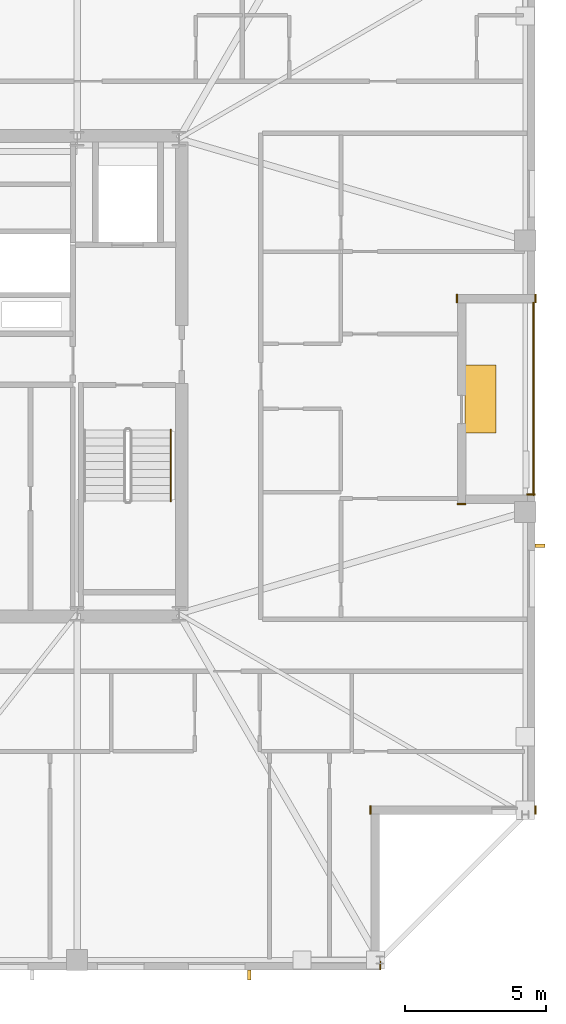
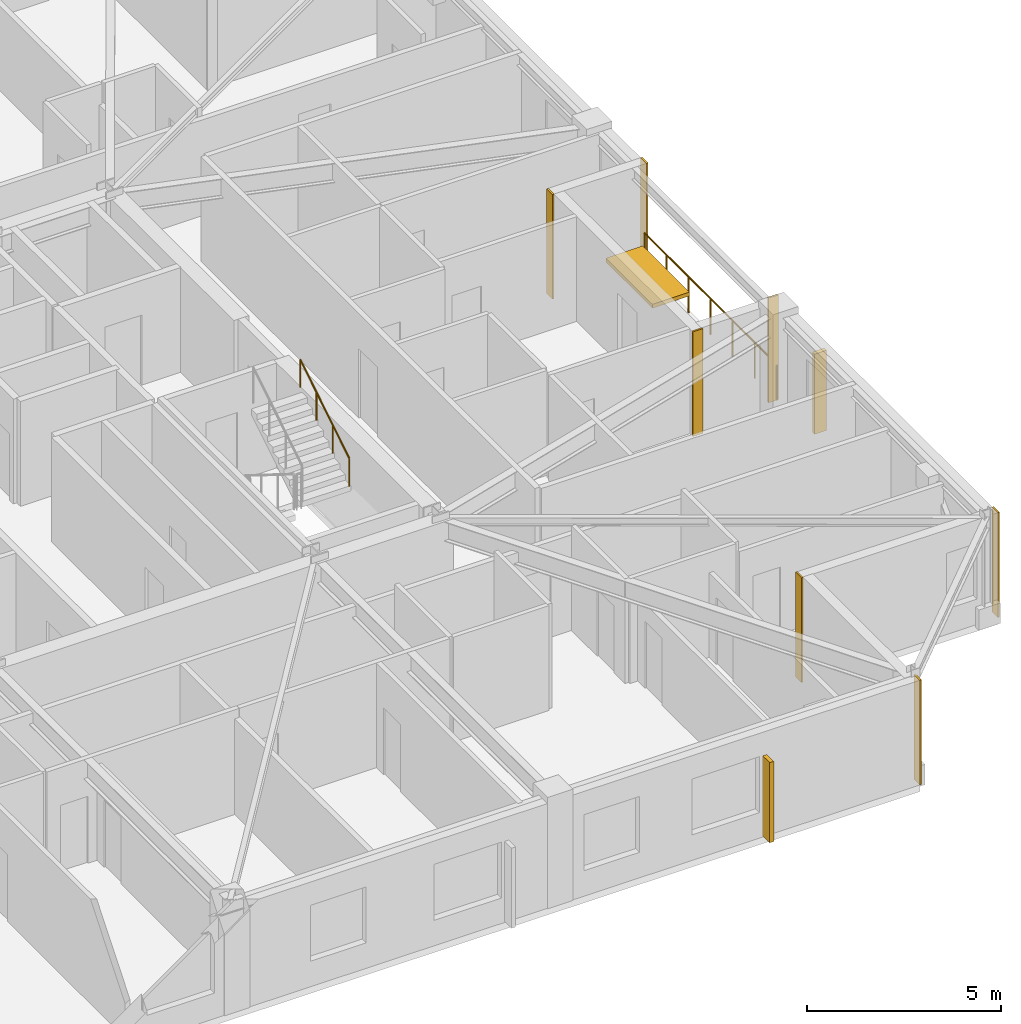
# One storey, part 13 of 14: 7 coverings, 3 shading devices, 2 railings.
"""IFC4 building model written with IfcOpenShell, lengths in metres."""

from ifc_helpers import new_model, si_unit, direction, frame, frame_2d, origin, origin_2d, place, context, subcontext, project, spatial, rectangle, circle, extrude, material, layer, layer_set, type_object, element, save


model = new_model("IFC4")

# Units and contexts
model_context = context("Model", 3, precision=1e-05, world=origin(), true_north=direction((0.0, 1.0)))
body_context = subcontext(model_context, "Body", "Model", "MODEL_VIEW")
ifc_project = project(units=[si_unit("LENGTHUNIT", "METRE"), si_unit("AREAUNIT", "SQUARE_METRE"), si_unit("VOLUMEUNIT", "CUBIC_METRE"), si_unit("PLANEANGLEUNIT", "RADIAN"), si_unit("MASSUNIT", "GRAM", prefix="KILO")], contexts=[model_context])

# Site, building, storey
site_placement = place(None, origin())
site = spatial("IfcSite", under=ifc_project, at=site_placement, CompositionType="ELEMENT")
building_placement = place(site_placement, origin())
building = spatial("IfcBuilding", under=site, at=building_placement, Name="Cairnveth Concourse Tower", CompositionType="ELEMENT")
storey_placement = place(building_placement, frame((0.0, 0.0, 301.5)))
storey = spatial("IfcBuildingStorey", under=building, at=storey_placement, Name="L83", CompositionType="ELEMENT", Elevation=301.5)

# Coverings
ifc_material_1 = material(Name="Dressed Melbourne Bluestone Cladding", Category="masonry")
ifc_layer = layer(ifc_material_1, 0.050048828125)
ifc_layer_set = layer_set([ifc_layer], Name="Dressed Melbourne Bluestone Cladding")
covering_type = type_object("IfcCoveringType", Name="DRESSED BLUESTONE PLINTH CLADDING 50", PredefinedType="CLADDING", material=ifc_layer_set)
for number, where, z_axis, x_axis, name in (
    (1, (72.699951171875, 34.820068359375, 0.0), (0.0, 0.0, 1.0), (1.0, 0.0, 0.0), "Melbourne Bluestone Corner Quoin L83-1259"),
    (2, (73.02001953125, 23.800048828125, 0.0), (0.0, 0.0, 1.0), (0.0, -1.0, 0.0), "Melbourne Bluestone Corner Quoin L83-1260"),
    (3, (67.179931640625, 23.800048828125, 0.0), (0.0, 0.0, 1.0), (0.0, -1.0, 0.0), "Melbourne Bluestone Corner Quoin L83-1261"),
    (4, (67.52001953125, 18.300048828125, 0.0), (0.0, 0.0, 1.0), (0.0, -1.0, 0.0), "Melbourne Bluestone Corner Quoin L83-1262"),
):
    element("IfcCovering", number, at=place(storey_placement, frame(where, z_axis=z_axis, x_axis=x_axis)), inside=storey, type_object=covering_type, Name=name, PredefinedType="CLADDING", context=body_context, shape_type="SweptSolid", body=[
        extrude(rectangle(XDim=0.300048828125, YDim=0.050048828125, at=frame_2d((0.14990234375, 0.0))), origin(), (0.0, 0.0, 1.0), 3.2900390625),
    ])
for number, where, z_axis, x_axis, name in (
    (5, (73.02001953125, 41.89990234375, 0.0), (0.0, 0.0, 1.0), (0.0, -1.0, 0.0), "Melbourne Bluestone Corner Quoin L83-1272"),
    (6, (70.22998046875, 41.89990234375, 0.0), (0.0, 0.0, 1.0), (0.0, -1.0, 0.0), "Melbourne Bluestone Corner Quoin L83-1273"),
):
    element("IfcCovering", number, at=place(storey_placement, frame(where, z_axis=z_axis, x_axis=x_axis)), inside=storey, type_object=covering_type, Name=name, PredefinedType="CLADDING", context=body_context, shape_type="SweptSolid", body=[
        extrude(rectangle(XDim=0.2998046875, YDim=0.050048828125, at=frame_2d((0.14990234375, 0.0))), origin(), (0.0, 0.0, 1.0), 3.2900390625),
    ])
covering_placement = place(storey_placement, frame((70.25, 34.47998046875, 0.0), z_axis=(0.0, 0.0, 1.0), x_axis=(1.0, 0.0, 0.0)))
element("IfcCovering", 7, at=covering_placement, inside=storey, type_object=covering_type, Name="Melbourne Bluestone Corner Quoin L83-1274", PredefinedType="CLADDING", context=body_context, shape_type="SweptSolid", body=[
    extrude(rectangle(XDim=0.300048828125, YDim=0.050048828125, at=frame_2d((0.14990234375, 0.0))), origin(), (0.0, 0.0, 1.0), 3.2900390625),
])

# Shading devices
ifc_material_2 = material(Name="Architectural Bronze Anodised Aluminium 6063-T6", Category="aluminium")
shading_device_type_1 = type_object("IfcShadingDeviceType", Name="GOTHIC BRONZE VERTICAL LANCET FIN", PredefinedType="USERDEFINED", material=ifc_material_2)
for number, where, z_axis, x_axis, name in (
    (8, (73.175048828125, 32.9990234375, 0.030029296875), (0.0, 0.0, 1.0), (0.0, 1.0, 0.0), "Gothic Bronze Vertical Fin L83-0-1"),
    (9, (62.8916015625, 17.824951171875, 0.030029296875), (0.0, 0.0, 1.0), (1.0, 0.0, 0.0), "Gothic Bronze Vertical Fin L83-3-1"),
):
    element("IfcShadingDevice", number, at=place(storey_placement, frame(where, z_axis=z_axis, x_axis=x_axis)), inside=storey, type_object=shading_device_type_1, Name=name, ObjectType="VERTICAL FIN", PredefinedType="USERDEFINED", context=body_context, shape_type="SweptSolid", body=[
        extrude(rectangle(XDim=0.1201171875, YDim=0.360107421875, at=origin_2d()), origin(), (0.0, 0.0, 1.0), 2.51806640625),
    ])
shading_device_type_2 = type_object("IfcShadingDeviceType", Name="SPIRAL TERRACE SUNSHADE CANOPY", PredefinedType="USERDEFINED", material=ifc_material_2)
shading_device_placement = place(storey_placement, frame((71.070068359375, 38.199951171875, 2.39794921875), z_axis=(0.0, 0.0, 1.0), x_axis=(1.0, 0.0, 0.0)))
element("IfcShadingDevice", 10, at=shading_device_placement, inside=storey, type_object=shading_device_type_2, Name="Spiral Terrace Sunshade L83", ObjectType="TERRACE SUNSHADE", PredefinedType="USERDEFINED", context=body_context, shape_type="SweptSolid", body=[
    extrude(rectangle(XDim=1.10009765625, YDim=2.39990234375, at=origin_2d()), origin(), (0.0, 0.0, 1.0), 0.1201171875),
])

# Railings
ifc_material_3 = material(Name="Steel Grade 350", Category="steel")
railing_type_1 = type_object("IfcRailingType", Name="STAIR WALL HANDRAIL 900", PredefinedType="HANDRAIL", material=ifc_material_3)
railing_1_placement = place(storey_placement, frame((60.110107421875, 34.580078125, 1.925048828125)))
element("IfcRailing", 11, at=railing_1_placement, inside=storey, type_object=railing_type_1, Name="L83 ST-2 stair handrail 2", PredefinedType="HANDRAIL", context=body_context, shape_type="SweptSolid", body=[
    extrude(circle(Radius=0.02392578125, at=origin_2d()), frame((0.0, 0.0, 0.8759765625), z_axis=(0.0, 0.848007534815, 0.529984170421), x_axis=(-1.0, 0.0, 0.0)), (0.0, 0.0, 1.0), 2.9716796875),
    extrude(circle(Radius=0.02099609375, at=origin_2d()), origin(), (0.0, 0.0, 1.0), 0.851806640625),
    extrude(circle(Radius=0.02099609375, at=origin_2d()), frame((0.0, 0.840087890625, 0.52490234375)), (0.0, 0.0, 1.0), 0.851806640625),
    extrude(circle(Radius=0.02099609375, at=origin_2d()), frame((0.0, 1.679931640625, 1.050048828125)), (0.0, 0.0, 1.0), 0.851806640625),
    extrude(circle(Radius=0.02099609375, at=origin_2d()), frame((0.0, 2.52001953125, 1.574951171875)), (0.0, 0.0, 1.0), 0.851806640625),
])
railing_type_2 = type_object("IfcRailingType", Name="TERRACE BRONZE BALUSTRADE 1150", PredefinedType="BALUSTRADE", material=ifc_material_2)
railing_2_placement = place(storey_placement, frame((72.93994140625, 34.800048828125, 0.0)))
element("IfcRailing", 12, at=railing_2_placement, inside=storey, type_object=railing_type_2, Name="Terrace Balustrade RL-L83-TERR", PredefinedType="BALUSTRADE", context=body_context, shape_type="SweptSolid", body=[
    extrude(circle(Radius=0.02490234375, at=origin_2d()), frame((0.0, 0.0, 1.125), z_axis=(0.0, 1.0, 0.0), x_axis=(-1.0, 0.0, 0.0)), (0.0, 0.0, 1.0), 6.800048828125),
    extrude(circle(Radius=0.02099609375, at=origin_2d()), origin(), (0.0, 0.0, 1.0), 1.099853515625),
    extrude(circle(Radius=0.02099609375, at=origin_2d()), frame((0.0, 1.13330078125, 0.0)), (0.0, 0.0, 1.0), 1.099853515625),
    extrude(circle(Radius=0.02099609375, at=origin_2d()), frame((0.0, 2.2666015625, 0.0)), (0.0, 0.0, 1.0), 1.099853515625),
    extrude(circle(Radius=0.02099609375, at=origin_2d()), frame((0.0, 3.39990234375, 0.0)), (0.0, 0.0, 1.0), 1.099853515625),
    extrude(circle(Radius=0.02099609375, at=origin_2d()), frame((0.0, 4.533447265625, 0.0)), (0.0, 0.0, 1.0), 1.099853515625),
    extrude(circle(Radius=0.02099609375, at=origin_2d()), frame((0.0, 5.666748046875, 0.0)), (0.0, 0.0, 1.0), 1.099853515625),
    extrude(circle(Radius=0.02099609375, at=origin_2d()), frame((0.0, 6.800048828125, 0.0)), (0.0, 0.0, 1.0), 1.099853515625),
])

save(model, "model.ifc")
